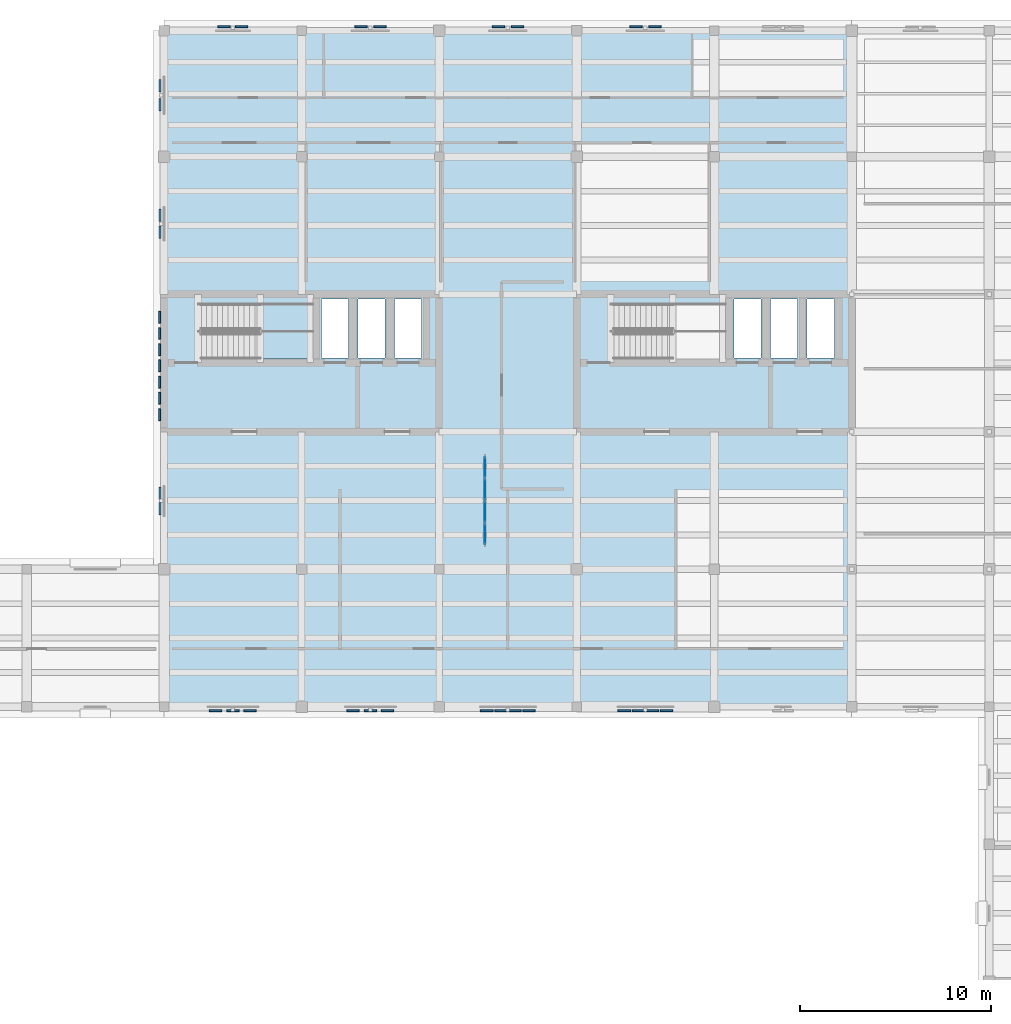
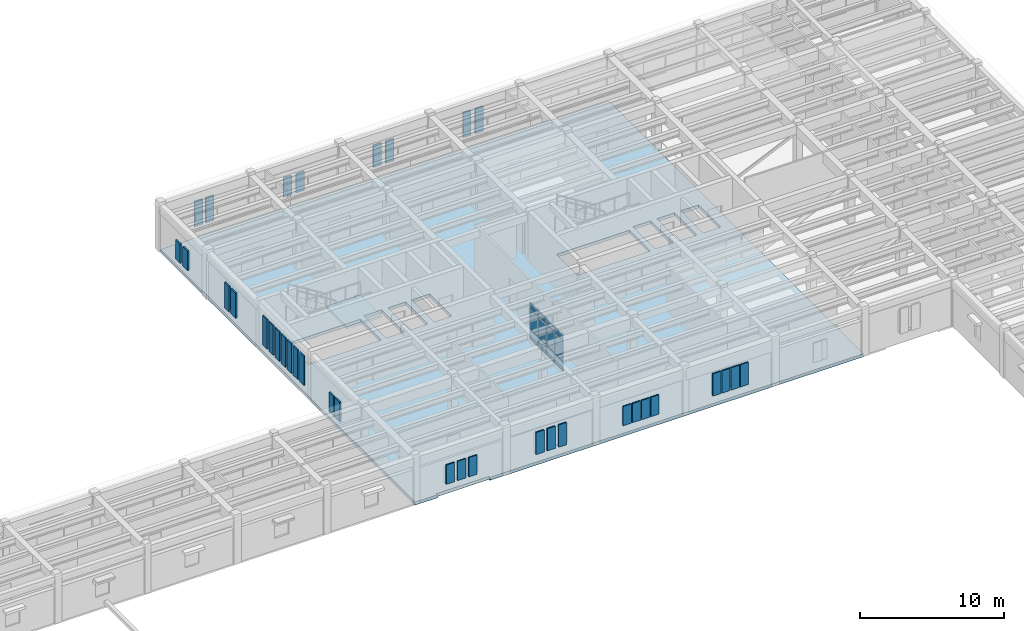
# One storey, part 8 of 27: 47 plates, 2 slabs, 2 elements without a shape of their own.
"""IFC4 building model written with IfcOpenShell, lengths in metres."""

from ifc_helpers import new_model, si_unit, direction, frame, origin, origin_2d, place, context, subcontext, project, spatial, polyline, rectangle, outline, extrude, material, layer, layer_set, type_object, element, aggregate, save


model = new_model("IFC4")

# Units and contexts
model_context = context("Model", 3, precision=1e-05, world=origin(), true_north=direction((0.0, 1.0)))
body_context = subcontext(model_context, "Body", "Model", "MODEL_VIEW")
ifc_project = project(units=[si_unit("LENGTHUNIT", "METRE"), si_unit("AREAUNIT", "SQUARE_METRE"), si_unit("VOLUMEUNIT", "CUBIC_METRE"), si_unit("PLANEANGLEUNIT", "RADIAN"), si_unit("MASSUNIT", "GRAM", prefix="KILO")], contexts=[model_context])

# Site, building, storey
site_placement = place(None, origin())
site = spatial("IfcSite", under=ifc_project, at=site_placement, CompositionType="ELEMENT")
building_placement = place(site_placement, origin())
building = spatial("IfcBuilding", under=site, at=building_placement, Name="Mithqara Police Headquarters", CompositionType="ELEMENT")
storey_placement = place(building_placement, frame((0.0, 0.0, 18.0)))
storey = spatial("IfcBuildingStorey", under=building, at=storey_placement, Name="L04", CompositionType="ELEMENT", Elevation=18.0)

# Curtain wall, plates
ifc_material_1 = material(Name="Bronze anodised aluminium 6063-T6", Category="aluminium")
curtain_wall_type = type_object("IfcCurtainWallType", Name="CURTAIN WALL 4700X3220", PredefinedType="USERDEFINED", material=ifc_material_1)
curtain_wall_placement = place(storey_placement, origin())
curtain_wall = element("IfcCurtainWall", 1, at=curtain_wall_placement, inside=storey, type_object=curtain_wall_type, Name="L04 Unitised Glazing CW-16 (CW-INT-L04-X17-Y12-0)", ObjectType="UNITISED GLAZING", PredefinedType="USERDEFINED")
ifc_material_2 = material(Name="Spectrally selective double low-e glass", Category="glass")
ifc_layer_1 = layer(ifc_material_2, 0.028076171875, Name="Spectrally selective double low-e glass")
ifc_layer_set_1 = layer_set([ifc_layer_1], Name="Spectrally selective double low-e glass")
plate_type_1 = type_object("IfcPlateType", Name="CWPANEL GLASS28", PredefinedType="CURTAIN_PANEL", material=ifc_layer_set_1)
plate_1_placement = place(storey_placement, frame((125.39990234375, 87.65625, 0.074951171875), z_axis=(0.0, 0.0, 1.0), x_axis=(0.0, 1.0, 0.0)))
plate_1 = element("IfcPlate", 2, at=plate_1_placement, type_object=plate_type_1, Name="CW-16 panel 1.1", PredefinedType="CURTAIN_PANEL", context=body_context, shape_type="SweptSolid", body=[
    extrude(rectangle(XDim=1.0625, YDim=0.028076171875, at=origin_2d()), origin(), (0.0, 0.0, 1.0), 0.78759765625),
])
plate_2_placement = place(storey_placement, frame((125.39990234375, 87.65625, 0.9375), z_axis=(0.0, 0.0, 1.0), x_axis=(0.0, 1.0, 0.0)))
plate_2 = element("IfcPlate", 3, at=plate_2_placement, type_object=plate_type_1, Name="CW-16 panel 1.2", PredefinedType="CURTAIN_PANEL", context=body_context, shape_type="SweptSolid", body=[
    extrude(rectangle(XDim=1.0625, YDim=0.028076171875, at=origin_2d()), origin(), (0.0, 0.0, 1.0), 1.695068359375),
])
plate_3_placement = place(storey_placement, frame((125.39990234375, 87.65625, 2.70751953125), z_axis=(0.0, 0.0, 1.0), x_axis=(0.0, 1.0, 0.0)))
plate_3 = element("IfcPlate", 4, at=plate_3_placement, type_object=plate_type_1, Name="CW-16 panel 1.3", PredefinedType="CURTAIN_PANEL", context=body_context, shape_type="SweptSolid", body=[
    extrude(rectangle(XDim=1.0625, YDim=0.028076171875, at=origin_2d()), origin(), (0.0, 0.0, 1.0), 0.4375),
])
plate_4_placement = place(storey_placement, frame((125.39990234375, 88.8125, 0.074951171875), z_axis=(0.0, 0.0, 1.0), x_axis=(0.0, 1.0, 0.0)))
plate_4 = element("IfcPlate", 5, at=plate_4_placement, type_object=plate_type_1, Name="CW-16 panel 2.1", PredefinedType="CURTAIN_PANEL", context=body_context, shape_type="SweptSolid", body=[
    extrude(rectangle(XDim=1.10009765625, YDim=0.028076171875, at=origin_2d()), origin(), (0.0, 0.0, 1.0), 0.78759765625),
])
plate_5_placement = place(storey_placement, frame((125.39990234375, 88.8125, 0.9375), z_axis=(0.0, 0.0, 1.0), x_axis=(0.0, 1.0, 0.0)))
plate_5 = element("IfcPlate", 6, at=plate_5_placement, type_object=plate_type_1, Name="CW-16 panel 2.2", PredefinedType="CURTAIN_PANEL", context=body_context, shape_type="SweptSolid", body=[
    extrude(rectangle(XDim=1.10009765625, YDim=0.028076171875, at=origin_2d()), origin(), (0.0, 0.0, 1.0), 1.695068359375),
])
plate_6_placement = place(storey_placement, frame((125.39990234375, 88.8125, 2.70751953125), z_axis=(0.0, 0.0, 1.0), x_axis=(0.0, 1.0, 0.0)))
plate_6 = element("IfcPlate", 7, at=plate_6_placement, type_object=plate_type_1, Name="CW-16 panel 2.3", PredefinedType="CURTAIN_PANEL", context=body_context, shape_type="SweptSolid", body=[
    extrude(rectangle(XDim=1.10009765625, YDim=0.028076171875, at=origin_2d()), origin(), (0.0, 0.0, 1.0), 0.4375),
])
plate_7_placement = place(storey_placement, frame((125.39990234375, 89.987548828125, 0.074951171875), z_axis=(0.0, 0.0, 1.0), x_axis=(0.0, 1.0, 0.0)))
plate_7 = element("IfcPlate", 8, at=plate_7_placement, type_object=plate_type_1, Name="CW-16 panel 3.1", PredefinedType="CURTAIN_PANEL", context=body_context, shape_type="SweptSolid", body=[
    extrude(rectangle(XDim=1.10009765625, YDim=0.028076171875, at=origin_2d()), origin(), (0.0, 0.0, 1.0), 0.78759765625),
])
plate_8_placement = place(storey_placement, frame((125.39990234375, 89.987548828125, 0.9375), z_axis=(0.0, 0.0, 1.0), x_axis=(0.0, 1.0, 0.0)))
plate_8 = element("IfcPlate", 9, at=plate_8_placement, type_object=plate_type_1, Name="CW-16 panel 3.2", PredefinedType="CURTAIN_PANEL", context=body_context, shape_type="SweptSolid", body=[
    extrude(rectangle(XDim=1.10009765625, YDim=0.028076171875, at=origin_2d()), origin(), (0.0, 0.0, 1.0), 1.695068359375),
])
plate_9_placement = place(storey_placement, frame((125.39990234375, 89.987548828125, 2.70751953125), z_axis=(0.0, 0.0, 1.0), x_axis=(0.0, 1.0, 0.0)))
plate_9 = element("IfcPlate", 10, at=plate_9_placement, type_object=plate_type_1, Name="CW-16 panel 3.3", PredefinedType="CURTAIN_PANEL", context=body_context, shape_type="SweptSolid", body=[
    extrude(rectangle(XDim=1.10009765625, YDim=0.028076171875, at=origin_2d()), origin(), (0.0, 0.0, 1.0), 0.4375),
])
plate_10_placement = place(storey_placement, frame((125.39990234375, 91.143798828125, 0.074951171875), z_axis=(0.0, 0.0, 1.0), x_axis=(0.0, 1.0, 0.0)))
plate_10 = element("IfcPlate", 11, at=plate_10_placement, type_object=plate_type_1, Name="CW-16 panel 4.1", PredefinedType="CURTAIN_PANEL", context=body_context, shape_type="SweptSolid", body=[
    extrude(rectangle(XDim=1.0625, YDim=0.028076171875, at=origin_2d()), origin(), (0.0, 0.0, 1.0), 0.78759765625),
])
plate_11_placement = place(storey_placement, frame((125.39990234375, 91.143798828125, 0.9375), z_axis=(0.0, 0.0, 1.0), x_axis=(0.0, 1.0, 0.0)))
plate_11 = element("IfcPlate", 12, at=plate_11_placement, type_object=plate_type_1, Name="CW-16 panel 4.2", PredefinedType="CURTAIN_PANEL", context=body_context, shape_type="SweptSolid", body=[
    extrude(rectangle(XDim=1.0625, YDim=0.028076171875, at=origin_2d()), origin(), (0.0, 0.0, 1.0), 1.695068359375),
])
plate_12_placement = place(storey_placement, frame((125.39990234375, 91.143798828125, 2.70751953125), z_axis=(0.0, 0.0, 1.0), x_axis=(0.0, 1.0, 0.0)))
plate_12 = element("IfcPlate", 13, at=plate_12_placement, type_object=plate_type_1, Name="CW-16 panel 4.3", PredefinedType="CURTAIN_PANEL", context=body_context, shape_type="SweptSolid", body=[
    extrude(rectangle(XDim=1.0625, YDim=0.028076171875, at=origin_2d()), origin(), (0.0, 0.0, 1.0), 0.4375),
])
aggregate(curtain_wall, [plate_1, plate_2, plate_3, plate_4, plate_5, plate_6, plate_7, plate_8, plate_9, plate_10, plate_11, plate_12])

# Slab
ifc_material_3 = material(Name="Concrete C40/50", Category="concrete")
ifc_layer_2 = layer(ifc_material_3, 0.260009765625, Name="Concrete C40/50")
ifc_layer_set_2 = layer_set([ifc_layer_2], Name="Concrete C40/50")
slab_type_1 = type_object("IfcSlabType", Name="FLOOR SLAB 260", PredefinedType="FLOOR", material=ifc_layer_set_2)
slab_1_placement = place(storey_placement, frame((0.0, 0.0, -0.260009765625)))
element("IfcSlab", 14, at=slab_1_placement, inside=storey, type_object=slab_type_1, Name="L04 Structural Slab L04-V1A", PredefinedType="FLOOR", context=body_context, shape_type="SweptSolid", body=[
    extrude(outline(polyline([(108.60009765625, 114.0), (144.60009765625, 114.0), (144.60009765625, 78.60009765625), (114.60009765625, 78.60009765625), (114.60009765625, 78.739990234375), (110.39990234375, 78.739990234375), (110.39990234375, 78.60009765625), (108.60009765625, 78.60009765625), (108.60009765625, 114.0)]), holes=[polyline([(110.550048828125, 96.800048828125), (116.39990234375, 96.800048828125), (116.39990234375, 99.699951171875), (110.550048828125, 99.699951171875), (110.550048828125, 96.800048828125)]), polyline([(132.14990234375, 96.800048828125), (138.0, 96.800048828125), (138.0, 99.699951171875), (132.14990234375, 99.699951171875), (132.14990234375, 96.800048828125)]), polyline([(118.25, 96.8701171875), (118.25, 99.949951171875), (116.830078125, 99.949951171875), (116.830078125, 96.8701171875), (118.25, 96.8701171875)]), polyline([(120.169921875, 96.8701171875), (120.169921875, 99.949951171875), (118.75, 99.949951171875), (118.75, 96.8701171875), (120.169921875, 96.8701171875)]), polyline([(122.090087890625, 96.8701171875), (122.090087890625, 99.949951171875), (120.669921875, 99.949951171875), (120.669921875, 96.8701171875), (122.090087890625, 96.8701171875)]), polyline([(139.85009765625, 96.8701171875), (139.85009765625, 99.949951171875), (138.429931640625, 99.949951171875), (138.429931640625, 96.8701171875), (139.85009765625, 96.8701171875)]), polyline([(141.77001953125, 96.8701171875), (141.77001953125, 99.949951171875), (140.35009765625, 99.949951171875), (140.35009765625, 96.8701171875), (141.77001953125, 96.8701171875)]), polyline([(143.68994140625, 96.8701171875), (143.68994140625, 99.949951171875), (142.27001953125, 99.949951171875), (142.27001953125, 96.8701171875), (143.68994140625, 96.8701171875)])]), origin(), (0.0, 0.0, 1.0), 0.260009765625),
])

# Stair, slab
stair_type = type_object("IfcStairType", Name="STAIR ST 01-R24", PredefinedType="HALF_TURN_STAIR", material=ifc_material_3)
stair_placement = place(storey_placement, origin())
stair = element("IfcStair", 15, at=stair_placement, inside=storey, type_object=stair_type, Name="L04 Core C1 Command West Exit Stair", PredefinedType="HALF_TURN_STAIR")
ifc_layer_3 = layer(ifc_material_3, 0.199951171875, Name="Concrete C40/50")
ifc_layer_set_3 = layer_set([ifc_layer_3], Name="Concrete C40/50")
slab_type_2 = type_object("IfcSlabType", Name="STAIR LANDING 200", PredefinedType="LANDING", material=ifc_layer_set_3)
slab_2_placement = place(storey_placement, frame((0.0, 0.0, 1.89990234375)))
slab_2 = element("IfcSlab", 16, at=slab_2_placement, type_object=slab_type_2, Name="ST-01 landing 1", PredefinedType="LANDING", context=body_context, shape_type="SweptSolid", body=[
    extrude(outline(polyline([(113.6298828125, 96.800048828125), (116.39990234375, 96.800048828125), (116.39990234375, 99.699951171875), (113.6298828125, 99.699951171875), (113.6298828125, 96.800048828125)])), origin(), (0.0, 0.0, 1.0), 0.2001953125),
])
aggregate(stair, [slab_2])

# Plates
ifc_material_4 = material(Name="Limestone ashlar masonry, 45 MPa", Category="masonry")
ifc_layer_4 = layer(ifc_material_4, 0.10009765625, Name="Limestone ashlar masonry, 45 MPa")
ifc_layer_set_4 = layer_set([ifc_layer_4], Name="Limestone ashlar masonry, 45 MPa")
plate_type_2 = type_object("IfcPlateType", Name="STONE SCREEN 100", PredefinedType="USERDEFINED", material=ifc_layer_set_4)
for number, where, z_axis, x_axis, name in (
    (17, (112.64990234375, 114.199951171875, 0.830078125), (0.0, 0.0, 1.0), (1.0, 0.0, 0.0), "L04 Pierced Limestone Vertical-Slit Panel 183"),
    (18, (111.75, 114.199951171875, 0.830078125), (0.0, 0.0, 1.0), (1.0, 0.0, 0.0), "L04 Pierced Limestone Vertical-Slit Panel 184"),
):
    element("IfcPlate", number, at=place(storey_placement, frame(where, z_axis=z_axis, x_axis=x_axis)), inside=storey, type_object=plate_type_2, Name=name, ObjectType="STONE SCREEN", PredefinedType="USERDEFINED", context=body_context, shape_type="SweptSolid", body=[
        extrude(rectangle(XDim=0.656005859375, YDim=0.10009765625, at=origin_2d()), origin(), (0.0, 0.0, 1.0), 2.139892578125),
    ])
for number, where, z_axis, x_axis, name in (
    (19, (119.89990234375, 114.199951171875, 0.830078125), (0.0, 0.0, 1.0), (1.0, 0.0, 0.0), "L04 Pierced Limestone Vertical-Slit Panel 185"),
    (20, (118.89990234375, 114.199951171875, 0.830078125), (0.0, 0.0, 1.0), (1.0, 0.0, 0.0), "L04 Pierced Limestone Vertical-Slit Panel 186"),
):
    element("IfcPlate", number, at=place(storey_placement, frame(where, z_axis=z_axis, x_axis=x_axis)), inside=storey, type_object=plate_type_2, Name=name, ObjectType="STONE SCREEN", PredefinedType="USERDEFINED", context=body_context, shape_type="SweptSolid", body=[
        extrude(rectangle(XDim=0.656005859375, YDim=0.10009765625, at=origin_2d()), origin(), (0.0, 0.0, 1.0), 1.639892578125),
    ])
for number, where, z_axis, x_axis, name in (
    (21, (127.10009765625, 114.199951171875, 0.830078125), (0.0, 0.0, 1.0), (1.0, 0.0, 0.0), "L04 Pierced Limestone Vertical-Slit Panel 187"),
    (22, (126.10009765625, 114.199951171875, 0.830078125), (0.0, 0.0, 1.0), (1.0, 0.0, 0.0), "L04 Pierced Limestone Vertical-Slit Panel 188"),
):
    element("IfcPlate", number, at=place(storey_placement, frame(where, z_axis=z_axis, x_axis=x_axis)), inside=storey, type_object=plate_type_2, Name=name, ObjectType="STONE SCREEN", PredefinedType="USERDEFINED", context=body_context, shape_type="SweptSolid", body=[
        extrude(rectangle(XDim=0.656005859375, YDim=0.10009765625, at=origin_2d()), origin(), (0.0, 0.0, 1.0), 1.889892578125),
    ])
for number, where, z_axis, x_axis, name in (
    (23, (134.300048828125, 114.199951171875, 0.830078125), (0.0, 0.0, 1.0), (1.0, 0.0, 0.0), "L04 Pierced Limestone Vertical-Slit Panel 189"),
    (24, (133.300048828125, 114.199951171875, 0.830078125), (0.0, 0.0, 1.0), (1.0, 0.0, 0.0), "L04 Pierced Limestone Vertical-Slit Panel 190"),
):
    element("IfcPlate", number, at=place(storey_placement, frame(where, z_axis=z_axis, x_axis=x_axis)), inside=storey, type_object=plate_type_2, Name=name, ObjectType="STONE SCREEN", PredefinedType="USERDEFINED", context=body_context, shape_type="SweptSolid", body=[
        extrude(rectangle(XDim=0.656005859375, YDim=0.10009765625, at=origin_2d()), origin(), (0.0, 0.0, 1.0), 2.139892578125),
    ])
for number, where, z_axis, x_axis, name in (
    (25, (111.300048828125, 78.39990234375, 0.830078125), (0.0, 0.0, 1.0), (1.0, 0.0, 0.0), "L04 Pierced Limestone Vertical-Slit Panel 200"),
    (26, (112.199951171875, 78.39990234375, 0.830078125), (0.0, 0.0, 1.0), (1.0, 0.0, 0.0), "L04 Pierced Limestone Vertical-Slit Panel 201"),
    (27, (113.10009765625, 78.39990234375, 0.830078125), (0.0, 0.0, 1.0), (1.0, 0.0, 0.0), "L04 Pierced Limestone Vertical-Slit Panel 202"),
):
    element("IfcPlate", number, at=place(storey_placement, frame(where, z_axis=z_axis, x_axis=x_axis)), inside=storey, type_object=plate_type_2, Name=name, ObjectType="STONE SCREEN", PredefinedType="USERDEFINED", context=body_context, shape_type="SweptSolid", body=[
        extrude(rectangle(XDim=0.656005859375, YDim=0.10009765625, at=origin_2d()), origin(), (0.0, 0.0, 1.0), 1.639892578125),
    ])
for number, where, z_axis, x_axis, name in (
    (28, (118.5, 78.39990234375, 0.830078125), (0.0, 0.0, 1.0), (1.0, 0.0, 0.0), "L04 Pierced Limestone Vertical-Slit Panel 203"),
    (29, (119.39990234375, 78.39990234375, 0.830078125), (0.0, 0.0, 1.0), (1.0, 0.0, 0.0), "L04 Pierced Limestone Vertical-Slit Panel 204"),
    (30, (120.300048828125, 78.39990234375, 0.830078125), (0.0, 0.0, 1.0), (1.0, 0.0, 0.0), "L04 Pierced Limestone Vertical-Slit Panel 205"),
):
    element("IfcPlate", number, at=place(storey_placement, frame(where, z_axis=z_axis, x_axis=x_axis)), inside=storey, type_object=plate_type_2, Name=name, ObjectType="STONE SCREEN", PredefinedType="USERDEFINED", context=body_context, shape_type="SweptSolid", body=[
        extrude(rectangle(XDim=0.656005859375, YDim=0.10009765625, at=origin_2d()), origin(), (0.0, 0.0, 1.0), 1.889892578125),
    ])
for number, where, z_axis, x_axis, name in (
    (31, (125.493896484375, 78.39990234375, 0.830078125), (0.0, 0.0, 1.0), (1.0, 0.0, 0.0), "L04 Pierced Limestone Vertical-Slit Panel 206"),
    (32, (126.231201171875, 78.39990234375, 0.830078125), (0.0, 0.0, 1.0), (1.0, 0.0, 0.0), "L04 Pierced Limestone Vertical-Slit Panel 207"),
    (33, (126.96875, 78.39990234375, 0.830078125), (0.0, 0.0, 1.0), (1.0, 0.0, 0.0), "L04 Pierced Limestone Vertical-Slit Panel 208"),
    (34, (127.706298828125, 78.39990234375, 0.830078125), (0.0, 0.0, 1.0), (1.0, 0.0, 0.0), "L04 Pierced Limestone Vertical-Slit Panel 209"),
):
    element("IfcPlate", number, at=place(storey_placement, frame(where, z_axis=z_axis, x_axis=x_axis)), inside=storey, type_object=plate_type_2, Name=name, ObjectType="STONE SCREEN", PredefinedType="USERDEFINED", context=body_context, shape_type="SweptSolid", body=[
        extrude(rectangle(XDim=0.656005859375, YDim=0.10009765625, at=origin_2d()), origin(), (0.0, 0.0, 1.0), 1.639892578125),
    ])
for number, where, z_axis, x_axis, name in (
    (35, (132.693603515625, 78.39990234375, 0.830078125), (0.0, 0.0, 1.0), (1.0, 0.0, 0.0), "L04 Pierced Limestone Vertical-Slit Panel 210"),
    (36, (133.431396484375, 78.39990234375, 0.830078125), (0.0, 0.0, 1.0), (1.0, 0.0, 0.0), "L04 Pierced Limestone Vertical-Slit Panel 211"),
    (37, (134.168701171875, 78.39990234375, 0.830078125), (0.0, 0.0, 1.0), (1.0, 0.0, 0.0), "L04 Pierced Limestone Vertical-Slit Panel 212"),
    (38, (134.90625, 78.39990234375, 0.830078125), (0.0, 0.0, 1.0), (1.0, 0.0, 0.0), "L04 Pierced Limestone Vertical-Slit Panel 213"),
):
    element("IfcPlate", number, at=place(storey_placement, frame(where, z_axis=z_axis, x_axis=x_axis)), inside=storey, type_object=plate_type_2, Name=name, ObjectType="STONE SCREEN", PredefinedType="USERDEFINED", context=body_context, shape_type="SweptSolid", body=[
        extrude(rectangle(XDim=0.656005859375, YDim=0.10009765625, at=origin_2d()), origin(), (0.0, 0.0, 1.0), 1.889892578125),
    ])
for number, where, z_axis, x_axis, name in (
    (39, (108.364990234375, 93.89990234375, 0.89990234375), (0.0, 0.0, 1.0), (0.0, 1.0, 0.0), "L04 Core C1 Pierced Vertical-Slit Screen 1"),
    (40, (108.364990234375, 94.75, 0.89990234375), (0.0, 0.0, 1.0), (0.0, 1.0, 0.0), "L04 Core C1 Pierced Vertical-Slit Screen 2"),
    (41, (108.364990234375, 95.60009765625, 0.89990234375), (0.0, 0.0, 1.0), (0.0, 1.0, 0.0), "L04 Core C1 Pierced Vertical-Slit Screen 3"),
    (42, (108.364990234375, 96.449951171875, 0.89990234375), (0.0, 0.0, 1.0), (0.0, 1.0, 0.0), "L04 Core C1 Pierced Vertical-Slit Screen 4"),
    (43, (108.364990234375, 97.300048828125, 0.89990234375), (0.0, 0.0, 1.0), (0.0, 1.0, 0.0), "L04 Core C1 Pierced Vertical-Slit Screen 5"),
    (44, (108.364990234375, 98.14990234375, 0.89990234375), (0.0, 0.0, 1.0), (0.0, 1.0, 0.0), "L04 Core C1 Pierced Vertical-Slit Screen 6"),
    (45, (108.364990234375, 99.0, 0.89990234375), (0.0, 0.0, 1.0), (0.0, 1.0, 0.0), "L04 Core C1 Pierced Vertical-Slit Screen 7"),
):
    element("IfcPlate", number, at=place(storey_placement, frame(where, z_axis=z_axis, x_axis=x_axis)), inside=storey, type_object=plate_type_2, Name=name, ObjectType="STONE SCREEN", PredefinedType="USERDEFINED", context=body_context, shape_type="SweptSolid", body=[
        extrude(rectangle(XDim=0.6201171875, YDim=0.10009765625, at=origin_2d()), origin(), (0.0, 0.0, 1.0), 2.5),
    ])
ifc_layer_5 = layer(ifc_material_4, 0.1201171875, Name="Limestone ashlar masonry, 45 MPa")
ifc_layer_set_5 = layer_set([ifc_layer_5], Name="Limestone ashlar masonry, 45 MPa")
plate_type_3 = type_object("IfcPlateType", Name="STONE SCREEN 120", PredefinedType="USERDEFINED", material=ifc_layer_set_5)
for number, where, z_axis, x_axis, name in (
    (46, (108.389892578125, 104.344970703125, 0.830078125), (0.0, 0.0, 1.0), (0.0, 1.0, 0.0), "L04 Pierced Limestone Vertical-Slit Panel 194"),
    (47, (108.389892578125, 103.445068359375, 0.830078125), (0.0, 0.0, 1.0), (0.0, 1.0, 0.0), "L04 Pierced Limestone Vertical-Slit Panel 195"),
):
    element("IfcPlate", number, at=place(storey_placement, frame(where, z_axis=z_axis, x_axis=x_axis)), inside=storey, type_object=plate_type_3, Name=name, ObjectType="STONE SCREEN", PredefinedType="USERDEFINED", context=body_context, shape_type="SweptSolid", body=[
        extrude(rectangle(XDim=0.656005859375, YDim=0.1201171875, at=origin_2d()), origin(), (0.0, 0.0, 1.0), 2.139892578125),
    ])
for number, where, z_axis, x_axis, name in (
    (48, (108.389892578125, 111.125, 0.830078125), (0.0, 0.0, 1.0), (0.0, 1.0, 0.0), "L04 Pierced Limestone Vertical-Slit Panel 196"),
    (49, (108.389892578125, 110.125, 0.830078125), (0.0, 0.0, 1.0), (0.0, 1.0, 0.0), "L04 Pierced Limestone Vertical-Slit Panel 197"),
    (50, (108.389892578125, 89.780029296875, 0.830078125), (0.0, 0.0, 1.0), (0.0, 1.0, 0.0), "L04 Pierced Limestone Vertical-Slit Panel 198"),
    (51, (108.389892578125, 88.97998046875, 0.830078125), (0.0, 0.0, 1.0), (0.0, 1.0, 0.0), "L04 Pierced Limestone Vertical-Slit Panel 199"),
):
    element("IfcPlate", number, at=place(storey_placement, frame(where, z_axis=z_axis, x_axis=x_axis)), inside=storey, type_object=plate_type_3, Name=name, ObjectType="STONE SCREEN", PredefinedType="USERDEFINED", context=body_context, shape_type="SweptSolid", body=[
        extrude(rectangle(XDim=0.656005859375, YDim=0.1201171875, at=origin_2d()), origin(), (0.0, 0.0, 1.0), 1.639892578125),
    ])

save(model, "model.ifc")
